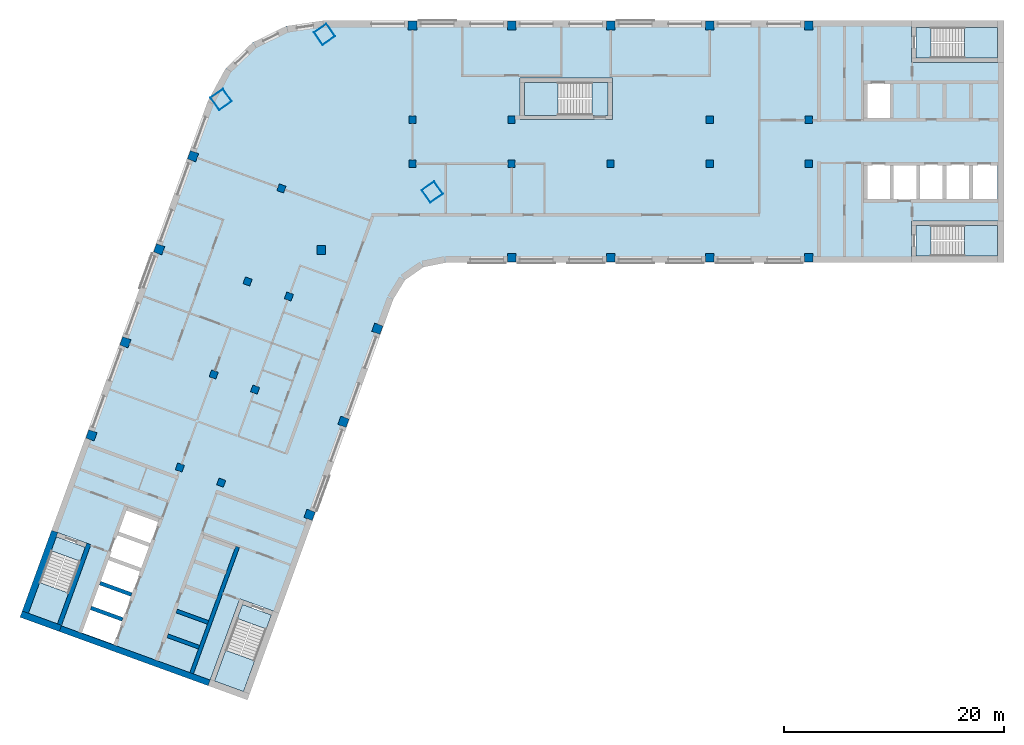
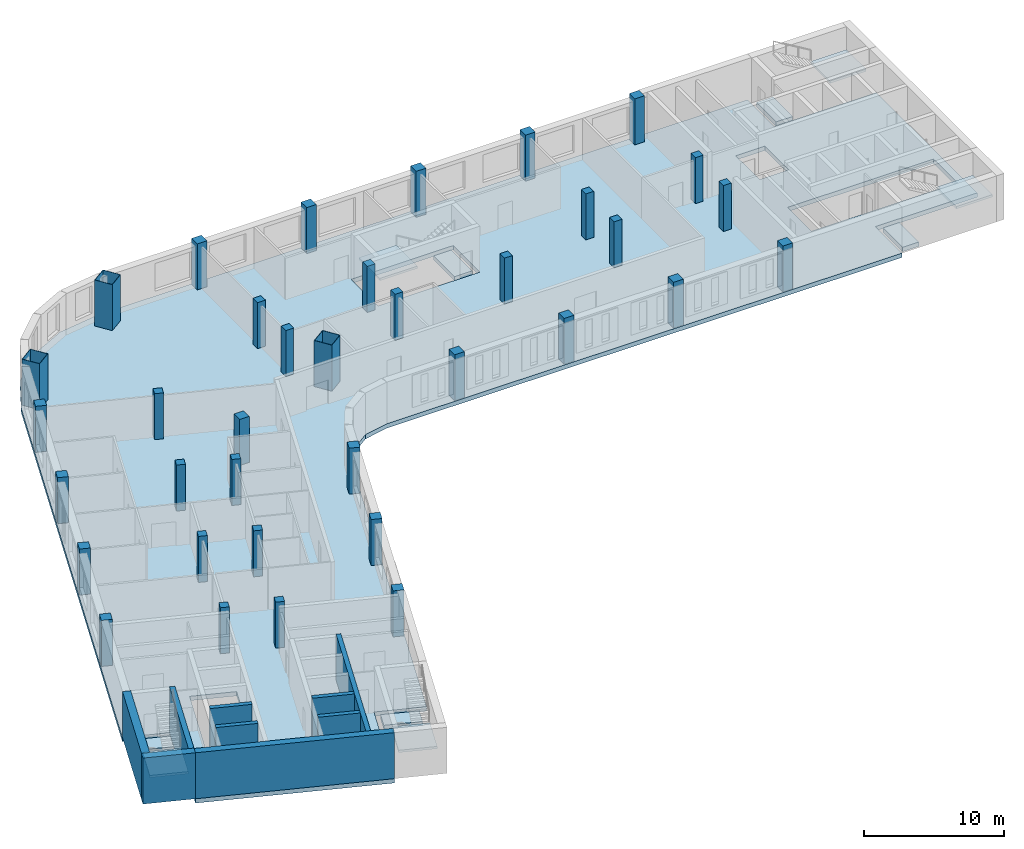
# One storey, part 1 of 8: 36 columns, 11 slabs, 9 walls, 5 elements without a shape of their own.
"""IFC4 building model written with IfcOpenShell, lengths in metres."""

from ifc_helpers import new_model, si_unit, direction, frame, frame_2d, origin, origin_2d, place, context, subcontext, project, spatial, polyline, rectangle, hollow_rectangle, outline, extrude, material, layer, layer_set, material_profile, profile_set, type_object, element, aggregate, save


model = new_model("IFC4")

# Units and contexts
model_context = context("Model", 3, precision=1e-05, world=origin(), true_north=direction((0.0, 1.0)))
body_context = subcontext(model_context, "Body", "Model", "MODEL_VIEW")
ifc_project = project(units=[si_unit("LENGTHUNIT", "METRE"), si_unit("AREAUNIT", "SQUARE_METRE"), si_unit("VOLUMEUNIT", "CUBIC_METRE"), si_unit("PLANEANGLEUNIT", "RADIAN"), si_unit("MASSUNIT", "GRAM", prefix="KILO")], contexts=[model_context])

# Site, building, storey
site_placement = place(None, origin())
site = spatial("IfcSite", under=ifc_project, at=site_placement, CompositionType="ELEMENT")
building_placement = place(site_placement, origin())
building = spatial("IfcBuilding", under=site, at=building_placement, Name="Skarvind Civic Tower", CompositionType="ELEMENT")
storey_placement = place(building_placement, frame((0.0, 0.0, 150.5)))
storey = spatial("IfcBuildingStorey", under=building, at=storey_placement, Name="L35", CompositionType="ELEMENT", Elevation=150.5)

# Columns
ifc_material_1 = material(Name="Concrete C60", Category="concrete")
ifc_material_profile_1 = material_profile(ifc_material_1, rectangle(XDim=0.64990234375, YDim=0.64990234375, at=origin_2d()), Name="RC-650x650")
ifc_profile_set_1 = profile_set([ifc_material_profile_1], Name="Concrete C60")
column_type_1 = type_object("IfcColumnType", Name="Column RC-650x650 C60", PredefinedType="COLUMN", material=ifc_profile_set_1)
for number, where, z_axis, x_axis, name in (
    (1, (54.25, 130.0, 0.0), (0.0, 0.0, 1.0), (1.0, 0.0, 0.0), "Column wing 1 north inner 02 L35"),
    (2, (63.25, 130.0, 0.0), (0.0, 0.0, 1.0), (1.0, 0.0, 0.0), "Column wing 1 north inner 03 L35"),
    (3, (81.25, 130.0, 0.0), (0.0, 0.0, 1.0), (1.0, 0.0, 0.0), "Column wing 1 north inner 05 L35"),
    (4, (90.25, 130.0, 0.0), (0.0, 0.0, 1.0), (1.0, 0.0, 0.0), "Column wing 1 north inner 06 L35"),
    (5, (54.25, 126.0, 0.0), (0.0, 0.0, 1.0), (1.0, 0.0, 0.0), "Column wing 1 south inner 02 L35"),
    (6, (63.25, 126.0, 0.0), (0.0, 0.0, 1.0), (1.0, 0.0, 0.0), "Column wing 1 south inner 03 L35"),
    (7, (72.25, 126.0, 0.0), (0.0, 0.0, 1.0), (1.0, 0.0, 0.0), "Column wing 1 south inner 04 L35"),
    (8, (81.25, 126.0, 0.0), (0.0, 0.0, 1.0), (1.0, 0.0, 0.0), "Column wing 1 south inner 05 L35"),
    (9, (90.25, 126.0, 0.0), (0.0, 0.0, 1.0), (1.0, 0.0, 0.0), "Column wing 1 south inner 06 L35"),
    (10, (43.005615234375, 113.92529296875, 0.0), (0.0, 0.0, 1.0), (-0.342020143326, -0.939692620786, 0.0), "Column wing 2 left inner 02 L35"),
    (11, (39.927490234375, 105.468017578125, 0.0), (0.0, 0.0, 1.0), (-0.342020143326, -0.939692620786, 0.0), "Column wing 2 left inner 03 L35"),
    (12, (36.84912109375, 97.010986328125, 0.0), (0.0, 0.0, 1.0), (-0.342020143326, -0.939692620786, 0.0), "Column wing 2 left inner 04 L35"),
    (13, (42.324951171875, 123.750732421875, 0.0), (0.0, 0.0, 1.0), (-0.342020143326, -0.939692620786, 0.0), "Column wing 2 right inner 01 L35"),
    (14, (39.246826171875, 115.29345703125, 0.0), (0.0, 0.0, 1.0), (-0.342020143326, -0.939692620786, 0.0), "Column wing 2 right inner 02 L35"),
    (15, (36.168701171875, 106.836181640625, 0.0), (0.0, 0.0, 1.0), (-0.342020143326, -0.939692620786, 0.0), "Column wing 2 right inner 03 L35"),
    (16, (33.090576171875, 98.37890625, 0.0), (0.0, 0.0, 1.0), (-0.342020143326, -0.939692620786, 0.0), "Column wing 2 right inner 04 L35"),
):
    element("IfcColumn", number, at=place(storey_placement, frame(where, z_axis=z_axis, x_axis=x_axis)), inside=storey, type_object=column_type_1, Name=name, PredefinedType="COLUMN", context=body_context, shape_type="SweptSolid", body=[
        extrude(rectangle(XDim=0.64990234375, YDim=0.64990234375, at=origin_2d()), origin(), (0.0, 0.0, 1.0), 4.0),
    ])
ifc_material_profile_2 = material_profile(ifc_material_1, rectangle(XDim=0.800048828125, YDim=0.800048828125, at=origin_2d()), Name="RC-800x800")
ifc_profile_set_2 = profile_set([ifc_material_profile_2], Name="Concrete C60")
column_type_2 = type_object("IfcColumnType", Name="Column RC-800x800 C60", PredefinedType="COLUMN", material=ifc_profile_set_2)
for number, where, z_axis, x_axis, name in (
    (17, (54.25, 138.550048828125, 0.0), (0.0, 0.0, 1.0), (1.0, 0.0, 0.0), "Column wing 1 north perimeter 02 L35"),
    (18, (63.25, 138.550048828125, 0.0), (0.0, 0.0, 1.0), (1.0, 0.0, 0.0), "Column wing 1 north perimeter 03 L35"),
    (19, (72.25, 138.550048828125, 0.0), (0.0, 0.0, 1.0), (1.0, 0.0, 0.0), "Column wing 1 north perimeter 04 L35"),
    (20, (81.25, 138.550048828125, 0.0), (0.0, 0.0, 1.0), (1.0, 0.0, 0.0), "Column wing 1 north perimeter 05 L35"),
    (21, (90.25, 138.550048828125, 0.0), (0.0, 0.0, 1.0), (1.0, 0.0, 0.0), "Column wing 1 north perimeter 06 L35"),
    (22, (45.95166015625, 118.151611328125, 0.0), (0.0, 0.0, 1.0), (1.0, 0.0, 0.0), "Column wing 1 south perimeter 01 L35"),
    (23, (63.25, 117.449951171875, 0.0), (0.0, 0.0, 1.0), (1.0, 0.0, 0.0), "Column wing 1 south perimeter 03 L35"),
    (24, (72.25, 117.449951171875, 0.0), (0.0, 0.0, 1.0), (1.0, 0.0, 0.0), "Column wing 1 south perimeter 04 L35"),
    (25, (81.25, 117.449951171875, 0.0), (0.0, 0.0, 1.0), (1.0, 0.0, 0.0), "Column wing 1 south perimeter 05 L35"),
    (26, (90.25, 117.449951171875, 0.0), (0.0, 0.0, 1.0), (1.0, 0.0, 0.0), "Column wing 1 south perimeter 06 L35"),
    (27, (51.0400390625, 111.0009765625, 0.0), (0.0, 0.0, 1.0), (-0.342020143326, -0.939692620786, 0.0), "Column wing 2 left perimeter 02 L35"),
    (28, (47.961669921875, 102.5439453125, 0.0), (0.0, 0.0, 1.0), (-0.342020143326, -0.939692620786, 0.0), "Column wing 2 left perimeter 03 L35"),
    (29, (44.883544921875, 94.086669921875, 0.0), (0.0, 0.0, 1.0), (-0.342020143326, -0.939692620786, 0.0), "Column wing 2 left perimeter 04 L35"),
    (30, (34.29052734375, 126.6748046875, 0.0), (0.0, 0.0, 1.0), (-0.342020143326, -0.939692620786, 0.0), "Column wing 2 right perimeter 01 L35"),
    (31, (31.21240234375, 118.2177734375, 0.0), (0.0, 0.0, 1.0), (-0.342020143326, -0.939692620786, 0.0), "Column wing 2 right perimeter 02 L35"),
    (32, (28.13427734375, 109.760498046875, 0.0), (0.0, 0.0, 1.0), (-0.342020143326, -0.939692620786, 0.0), "Column wing 2 right perimeter 03 L35"),
    (33, (25.05615234375, 101.30322265625, 0.0), (0.0, 0.0, 1.0), (-0.342020143326, -0.939692620786, 0.0), "Column wing 2 right perimeter 04 L35"),
):
    element("IfcColumn", number, at=place(storey_placement, frame(where, z_axis=z_axis, x_axis=x_axis)), inside=storey, type_object=column_type_2, Name=name, PredefinedType="COLUMN", context=body_context, shape_type="SweptSolid", body=[
        extrude(rectangle(XDim=0.800048828125, YDim=0.800048828125, at=origin_2d()), origin(), (0.0, 0.0, 1.0), 4.0),
    ])
ifc_material_2 = material(Name="Composite concrete-filled steel tube, Steel SM355 with Concrete C80", Category="concrete")
ifc_material_profile_3 = material_profile(ifc_material_2, hollow_rectangle(XDim=1.39990234375, YDim=1.39990234375, WallThickness=0.031982421875, at=origin_2d()), Name="BOX-1400x1400x32")
ifc_profile_set_3 = profile_set([ifc_material_profile_3], Name="Composite concrete-filled steel tube, Steel SM355 with Concrete C80")
column_type_3 = type_object("IfcColumnType", Name="Mega column BOX-1400x1400x32 filled C80", PredefinedType="COLUMN", material=ifc_profile_set_3)
for number, where, z_axis, x_axis, name in (
    (34, (36.845947265625, 131.837646484375, 0.0), (0.0, 0.0, 1.0), (0.573576436351, -0.819152044289, 0.0), "Mega column 1 L35"),
    (35, (46.2470703125, 137.762451171875, 0.0), (0.0, 0.0, 1.0), (0.573576436351, -0.819152044289, 0.0), "Mega column 2 L35"),
    (36, (56.0361328125, 123.43017578125, 0.0), (0.0, 0.0, 1.0), (0.573576436351, -0.819152044289, 0.0), "Mega column 4 L35"),
):
    element("IfcColumn", number, at=place(storey_placement, frame(where, z_axis=z_axis, x_axis=x_axis)), inside=storey, type_object=column_type_3, Name=name, PredefinedType="COLUMN", context=body_context, shape_type="SweptSolid", body=[
        extrude(hollow_rectangle(XDim=1.39990234375, YDim=1.39990234375, WallThickness=0.031982421875, at=origin_2d()), origin(), (0.0, 0.0, 1.0), 4.0),
    ])

# Slabs
ifc_material_3 = material(Name="Concrete C50", Category="concrete")
ifc_layer_1 = layer(ifc_material_3, 0.375)
ifc_layer_set_1 = layer_set([ifc_layer_1], Name="Floor slab 375 C50")
slab_type_1 = type_object("IfcSlabType", Name="Floor slab 375 C50", PredefinedType="FLOOR", material=ifc_layer_set_1)
slab_1_placement = place(storey_placement, frame((0.0, 0.0, -0.375)))
element("IfcSlab", 37, at=slab_1_placement, inside=storey, type_object=slab_type_1, Name="Floor slab L35 1", PredefinedType="FLOOR", context=body_context, shape_type="SweptSolid", body=[
    extrude(outline(polyline([(99.60009765625, 117.0), (99.60009765625, 120.800048828125), (108.0, 120.800048828125), (108.0, 135.199951171875), (99.60009765625, 135.199951171875), (99.60009765625, 139.0), (46.095458984375, 139.0), (42.739501953125, 138.5009765625), (39.6943359375, 137.005615234375), (37.24755859375, 134.6552734375), (35.630615234375, 131.672607421875), (19.41748046875, 87.126708984375), (21.435302734375, 92.6708984375), (25.006103515625, 91.371337890625), (22.13330078125, 83.477783203125), (36.886474609375, 78.108154296875), (35.664794921875, 78.552734375), (38.53759765625, 86.4462890625), (42.108642578125, 85.146484375), (40.0908203125, 79.602294921875), (40.0908203125, 79.602294921875), (52.493896484375, 113.68017578125), (53.560791015625, 115.421630859375), (55.23388671875, 116.593017578125), (57.235107421875, 117.0), (99.60009765625, 117.0)]), holes=[polyline([(25.671630859375, 87.9365234375), (26.492431640625, 90.19189453125), (27.313232421875, 92.447021484375), (28.134033203125, 94.702392578125), (31.3291015625, 93.53955078125), (30.50830078125, 91.2841796875), (29.6875, 89.029052734375), (28.866455078125, 86.773681640625), (28.866455078125, 86.773681640625), (28.045654296875, 84.5185546875), (27.224853515625, 82.26318359375), (24.02978515625, 83.426025390625), (24.8505859375, 85.681396484375), (25.671630859375, 87.9365234375), (25.671630859375, 87.9365234375)]), polyline([(64.0, 130.0), (64.0, 133.800048828125), (72.39990234375, 133.800048828125), (72.39990234375, 130.0), (64.0, 130.0)]), polyline([(97.800048828125, 126.0), (100.199951171875, 126.0), (102.60009765625, 126.0), (105.0, 126.0), (107.39990234375, 126.0), (107.39990234375, 122.60009765625), (105.0, 122.60009765625), (102.60009765625, 122.60009765625), (100.199951171875, 122.60009765625), (97.800048828125, 122.60009765625), (95.39990234375, 122.60009765625), (95.39990234375, 126.0), (97.800048828125, 126.0)]), polyline([(97.800048828125, 133.39990234375), (97.800048828125, 130.0), (95.39990234375, 130.0), (95.39990234375, 133.39990234375), (97.800048828125, 133.39990234375)])]), origin(), (0.0, 0.0, 1.0), 0.375),
])
ifc_material_4 = material(Name="Concrete C40/50", Category="concrete")
ifc_layer_2 = layer(ifc_material_4, 0.375)
ifc_layer_set_2 = layer_set([ifc_layer_2], Name="Stair floor landing slab 375")
slab_type_2 = type_object("IfcSlabType", Name="Stair floor landing slab 375", PredefinedType="LANDING", material=ifc_layer_set_2)
slab_2_placement = place(storey_placement, frame((0.0, 0.0, -0.375)))
element("IfcSlab", 38, at=slab_2_placement, inside=storey, type_object=slab_type_2, Name="Stair floor landing", PredefinedType="LANDING", context=body_context, shape_type="SweptSolid", body=[
    extrude(outline(polyline([(101.3505859375, 138.400634765625), (101.3505859375, 135.599365234375), (99.99951171875, 135.599365234375), (99.99951171875, 138.400634765625), (101.3505859375, 138.400634765625)])), origin(), (0.0, 0.0, 1.0), 0.375),
])
slab_3_placement = place(storey_placement, frame((0.0, 0.0, -0.375)))
element("IfcSlab", 39, at=slab_3_placement, inside=storey, type_object=slab_type_2, Name="Stair floor landing", PredefinedType="LANDING", context=body_context, shape_type="SweptSolid", body=[
    extrude(outline(polyline([(101.3505859375, 120.400634765625), (101.3505859375, 117.599365234375), (99.99951171875, 117.599365234375), (99.99951171875, 120.400634765625), (101.3505859375, 120.400634765625)])), origin(), (0.0, 0.0, 1.0), 0.375),
])
slab_4_placement = place(storey_placement, frame((0.0, 0.0, -0.375)))
element("IfcSlab", 40, at=slab_4_placement, inside=storey, type_object=slab_type_2, Name="Stair floor landing", PredefinedType="LANDING", context=body_context, shape_type="SweptSolid", body=[
    extrude(outline(polyline([(40.946533203125, 83.70654296875), (38.314208984375, 84.66455078125), (38.7763671875, 85.934326171875), (41.40869140625, 84.976318359375), (40.946533203125, 83.70654296875)])), origin(), (0.0, 0.0, 1.0), 0.375),
])
slab_5_placement = place(storey_placement, frame((0.0, 0.0, -0.375)))
element("IfcSlab", 41, at=slab_5_placement, inside=storey, type_object=slab_type_2, Name="Stair floor landing", PredefinedType="LANDING", context=body_context, shape_type="SweptSolid", body=[
    extrude(outline(polyline([(24.0322265625, 89.863037109375), (21.39990234375, 90.821044921875), (21.862060546875, 92.090576171875), (24.494384765625, 91.132568359375), (24.0322265625, 89.863037109375)])), origin(), (0.0, 0.0, 1.0), 0.375),
])
slab_6_placement = place(storey_placement, frame((0.0, 0.0, -0.375)))
element("IfcSlab", 42, at=slab_6_placement, inside=storey, type_object=slab_type_2, Name="Stair floor landing", PredefinedType="LANDING", context=body_context, shape_type="SweptSolid", body=[
    extrude(outline(polyline([(70.54931640625, 130.3994140625), (70.54931640625, 133.400634765625), (72.00048828125, 133.400634765625), (72.00048828125, 130.3994140625), (70.54931640625, 130.3994140625)])), origin(), (0.0, 0.0, 1.0), 0.375),
])

# Stair, slab
stair_type_1 = type_object("IfcStairType", Name="Exit stair, half-turn, concrete", PredefinedType="HALF_TURN_STAIR", material=ifc_material_4)
stair_1_placement = place(storey_placement, origin())
stair_1 = element("IfcStair", 43, at=stair_1_placement, inside=storey, type_object=stair_type_1, Name="Exit stair C1S", PredefinedType="HALF_TURN_STAIR")
ifc_layer_3 = layer(ifc_material_4, 0.199951171875)
ifc_layer_set_3 = layer_set([ifc_layer_3], Name="Stair half landing slab")
slab_type_3 = type_object("IfcSlabType", Name="Stair half landing slab", PredefinedType="LANDING", material=ifc_layer_set_3)
slab_7_placement = place(storey_placement, frame((0.0, 0.0, 1.800048828125)))
slab_7 = element("IfcSlab", 44, at=slab_7_placement, type_object=slab_type_3, Name="ST-C1S landing 1", PredefinedType="LANDING", context=body_context, shape_type="SweptSolid", body=[
    extrude(outline(polyline([(104.429443359375, 135.599365234375), (104.429443359375, 138.400634765625), (107.400634765625, 138.400634765625), (107.400634765625, 135.599365234375), (104.429443359375, 135.599365234375)])), origin(), (0.0, 0.0, 1.0), 0.199951171875),
])
aggregate(stair_1, [slab_7])

stair_2_placement = place(storey_placement, origin())
stair_2 = element("IfcStair", 45, at=stair_2_placement, inside=storey, type_object=stair_type_1, Name="Exit stair C1N", PredefinedType="HALF_TURN_STAIR")
slab_8_placement = place(storey_placement, frame((0.0, 0.0, 1.800048828125)))
slab_8 = element("IfcSlab", 46, at=slab_8_placement, type_object=slab_type_3, Name="ST-C1N landing 1", PredefinedType="LANDING", context=body_context, shape_type="SweptSolid", body=[
    extrude(outline(polyline([(104.429443359375, 117.599365234375), (104.429443359375, 120.400634765625), (107.400634765625, 120.400634765625), (107.400634765625, 117.599365234375), (104.429443359375, 117.599365234375)])), origin(), (0.0, 0.0, 1.0), 0.199951171875),
])
aggregate(stair_2, [slab_8])

stair_3_placement = place(storey_placement, origin())
stair_3 = element("IfcStair", 47, at=stair_3_placement, inside=storey, type_object=stair_type_1, Name="Exit stair C2S", PredefinedType="HALF_TURN_STAIR")
slab_9_placement = place(storey_placement, frame((0.0, 0.0, 1.800048828125)))
slab_9 = element("IfcSlab", 48, at=slab_9_placement, type_object=slab_type_3, Name="ST-C2S landing 1", PredefinedType="LANDING", context=body_context, shape_type="SweptSolid", body=[
    extrude(outline(polyline([(37.26123046875, 81.771484375), (39.8935546875, 80.8134765625), (38.87744140625, 78.021484375), (36.2451171875, 78.9794921875), (37.26123046875, 81.771484375)])), origin(), (0.0, 0.0, 1.0), 0.199951171875),
])
aggregate(stair_3, [slab_9])

stair_4_placement = place(storey_placement, origin())
stair_4 = element("IfcStair", 49, at=stair_4_placement, inside=storey, type_object=stair_type_1, Name="Exit stair C2N", PredefinedType="HALF_TURN_STAIR")
slab_10_placement = place(storey_placement, frame((0.0, 0.0, 1.800048828125)))
slab_10 = element("IfcSlab", 50, at=slab_10_placement, type_object=slab_type_3, Name="ST-C2N landing 1", PredefinedType="LANDING", context=body_context, shape_type="SweptSolid", body=[
    extrude(outline(polyline([(20.346923828125, 87.927734375), (22.97900390625, 86.9697265625), (21.962890625, 84.177734375), (19.33056640625, 85.1357421875), (20.346923828125, 87.927734375)])), origin(), (0.0, 0.0, 1.0), 0.199951171875),
])
aggregate(stair_4, [slab_10])

stair_type_2 = type_object("IfcStairType", Name="Exit stair 1450, half-turn, concrete", PredefinedType="HALF_TURN_STAIR", material=ifc_material_4)
stair_5_placement = place(storey_placement, origin())
stair_5 = element("IfcStair", 51, at=stair_5_placement, inside=storey, type_object=stair_type_2, Name="Exit stair CM", PredefinedType="HALF_TURN_STAIR")
slab_11_placement = place(storey_placement, frame((0.0, 0.0, 1.800048828125)))
slab_11 = element("IfcSlab", 52, at=slab_11_placement, type_object=slab_type_3, Name="ST-CM landing 1", PredefinedType="LANDING", context=body_context, shape_type="SweptSolid", body=[
    extrude(outline(polyline([(67.470703125, 133.400634765625), (67.470703125, 130.3994140625), (64.3994140625, 130.3994140625), (64.3994140625, 133.400634765625), (67.470703125, 133.400634765625)])), origin(), (0.0, 0.0, 1.0), 0.199951171875),
])
aggregate(stair_5, [slab_11])

# Walls
ifc_layer_4 = layer(ifc_material_1, 0.35009765625)
ifc_layer_set_4 = layer_set([ifc_layer_4], Name="Core wall 350 C60")
wall_type_1 = type_object("IfcWallType", Name="Core wall 350 C60", PredefinedType="SHEAR", material=ifc_layer_set_4)
wall_1_placement = place(storey_placement, frame((34.161376953125, 79.685302734375, 0.0), z_axis=(0.0, 0.0, 1.0), x_axis=(0.34201563943, 0.939694260058, 0.0)))
element("IfcWall", 53, at=wall_1_placement, inside=storey, type_object=wall_type_1, Name="Core wall C2 south lift row back L35", PredefinedType="SHEAR", context=body_context, shape_type="SweptSolid", body=[
    extrude(rectangle(XDim=12.22509765625, YDim=0.35009765625, at=frame_2d((6.112548828125, 0.0))), origin(), (0.0, 0.0, 1.0), 4.0),
])
wall_2_placement = place(storey_placement, frame((34.8349609375, 82.04736328125, 0.0), z_axis=(0.0, 0.0, 1.0), x_axis=(-0.939683528043, 0.3420451244, 0.0)))
element("IfcWall", 54, at=wall_2_placement, inside=storey, type_object=wall_type_1, Name="Core wall C2 south lift row division 1 L35", PredefinedType="SHEAR", context=body_context, shape_type="SweptSolid", body=[
    extrude(rectangle(XDim=3.050048828125, YDim=0.35009765625, at=frame_2d((1.52490234375, 0.0))), origin(), (0.0, 0.0, 1.0), 4.0),
])
wall_3_placement = place(storey_placement, frame((35.65576171875, 84.302734375, 0.0), z_axis=(0.0, 0.0, 1.0), x_axis=(-0.939709254651, 0.341974438698, 0.0)))
element("IfcWall", 55, at=wall_3_placement, inside=storey, type_object=wall_type_1, Name="Core wall C2 south lift row division 2 L35", PredefinedType="SHEAR", context=body_context, shape_type="SweptSolid", body=[
    extrude(rectangle(XDim=3.0498046875, YDim=0.35009765625, at=frame_2d((1.52490234375, 0.0))), origin(), (0.0, 0.0, 1.0), 4.0),
])
for number, where, z_axis, x_axis, name in (
    (56, (27.881103515625, 84.578369140625, 0.0), (0.0, 0.0, 1.0), (-0.939683528043, 0.3420451244, 0.0), "Core wall C2 north lift row division 1 L35"),
    (57, (28.7021484375, 86.83349609375, 0.0), (0.0, 0.0, 1.0), (-0.939692892192, 0.342019397644, 0.0), "Core wall C2 north lift row division 2 L35"),
):
    element("IfcWall", number, at=place(storey_placement, frame(where, z_axis=z_axis, x_axis=x_axis)), inside=storey, type_object=wall_type_1, Name=name, PredefinedType="SHEAR", context=body_context, shape_type="SweptSolid", body=[
        extrude(rectangle(XDim=3.050048828125, YDim=0.35009765625, at=frame_2d((1.52490234375, 0.0))), origin(), (0.0, 0.0, 1.0), 4.0),
    ])
ifc_layer_5 = layer(ifc_material_1, 0.39990234375)
ifc_layer_set_5 = layer_set([ifc_layer_5], Name="Core wall 400 C60")
wall_type_2 = type_object("IfcWallType", Name="Core wall 400 C60", PredefinedType="SHEAR", material=ifc_layer_set_5)
wall_4_placement = place(storey_placement, frame((22.150390625, 84.110107421875, 0.0), z_axis=(0.0, 0.0, 1.0), x_axis=(0.342016982193, 0.939693771338, 0.0)))
element("IfcWall", 58, at=wall_4_placement, inside=storey, type_object=wall_type_2, Name="Core wall C2 north stair inner L35", PredefinedType="SHEAR", context=body_context, shape_type="SweptSolid", body=[
    extrude(rectangle(XDim=7.800048828125, YDim=0.39990234375, at=frame_2d((3.89990234375, 0.0))), origin(), (0.0, 0.0, 1.0), 4.0),
])
ifc_layer_6 = layer(ifc_material_1, 0.550048828125)
ifc_layer_set_6 = layer_set([ifc_layer_6], Name="Core wall 550 C60")
wall_type_3 = type_object("IfcWallType", Name="Core wall 550 C60", PredefinedType="SHEAR", material=ifc_layer_set_6)
wall_5_placement = place(storey_placement, frame((35.7587890625, 78.811279296875, 0.0), z_axis=(0.0, 0.0, 1.0), x_axis=(-0.939692894512, 0.342019391267, 0.0)))
element("IfcWall", 59, at=wall_5_placement, inside=storey, type_object=wall_type_3, Name="Core wall C2 tip between the stairs L35", PredefinedType="SHEAR", context=body_context, shape_type="SweptSolid", body=[
    extrude(rectangle(XDim=14.39990234375, YDim=0.550048828125, at=frame_2d((7.199951171875, 0.0))), origin(), (0.0, 0.0, 1.0), 4.0),
])
ifc_layer_7 = layer(ifc_material_1, 0.60009765625)
ifc_layer_set_7 = layer_set([ifc_layer_7], Name="Core wall 600 C60")
wall_type_4 = type_object("IfcWallType", Name="Core wall 600 C60", PredefinedType="SHEAR", material=ifc_layer_set_7)
wall_6_placement = place(storey_placement, frame((22.23583984375, 83.759765625, 0.0), z_axis=(0.0, 0.0, 1.0), x_axis=(-0.939680822529, 0.342052557032, 0.0)))
element("IfcWall", 60, at=wall_6_placement, inside=storey, type_object=wall_type_4, Name="Core wall C2 tip at the north stair L35", PredefinedType="SHEAR", context=body_context, shape_type="SweptSolid", body=[
    extrude(rectangle(XDim=3.800048828125, YDim=0.60009765625, at=frame_2d((1.89990234375, 0.0))), origin(), (0.0, 0.0, 1.0), 4.0),
])
wall_7_placement = place(storey_placement, frame((19.049560546875, 85.23876953125, 0.0), z_axis=(0.0, 0.0, 1.0), x_axis=(0.342016982193, 0.939693771338, 0.0)))
element("IfcWall", 61, at=wall_7_placement, inside=storey, type_object=wall_type_4, Name="Core wall C2 north side at the stair L35", PredefinedType="SHEAR", context=body_context, shape_type="SweptSolid", body=[
    extrude(rectangle(XDim=7.800048828125, YDim=0.60009765625, at=frame_2d((3.89990234375, 0.0))), origin(), (0.0, 0.0, 1.0), 4.0),
])

save(model, "model.ifc")
